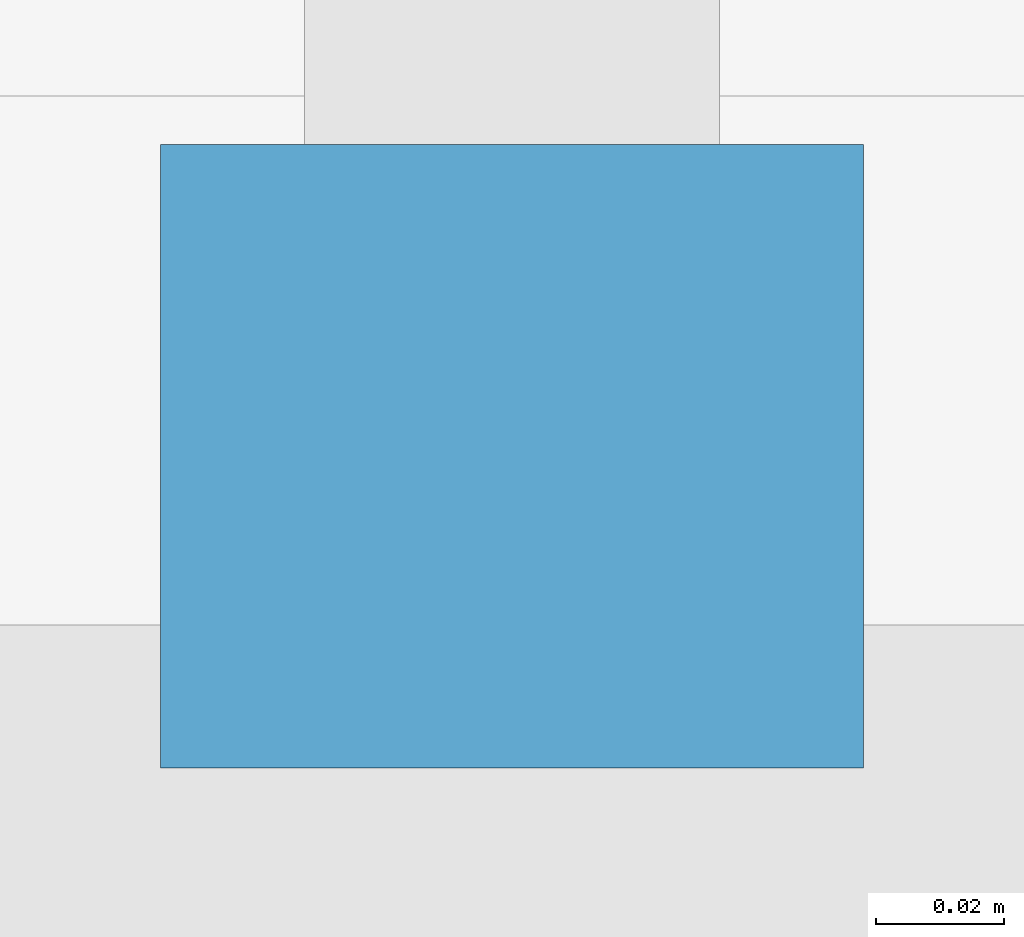
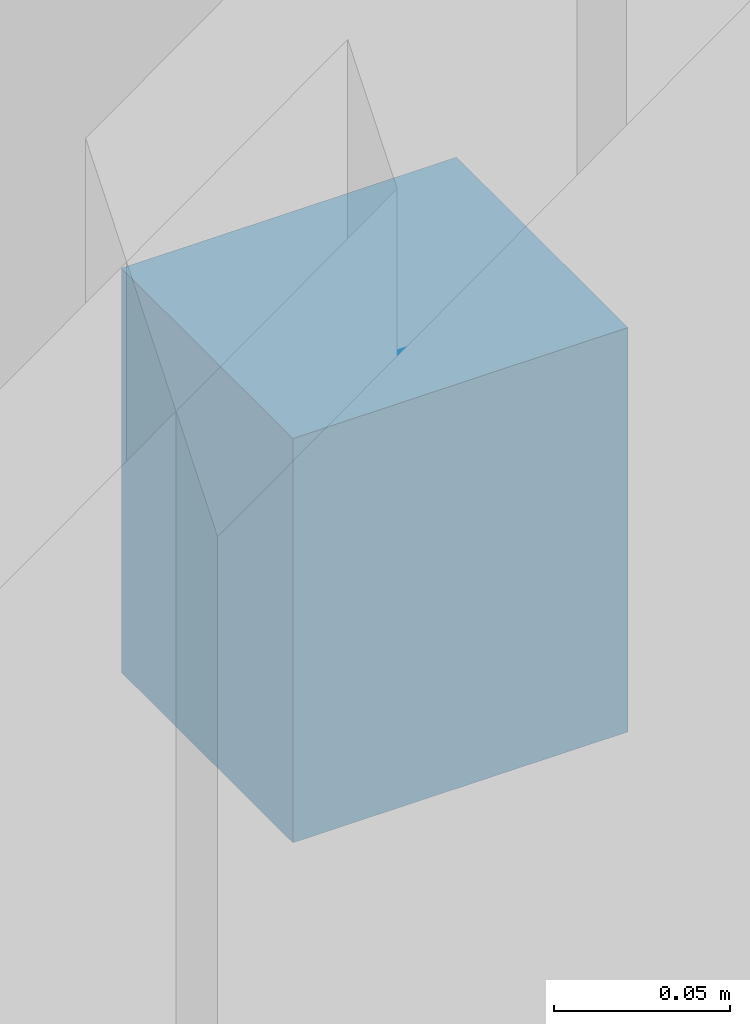
# One storey, part 15 of 19: 1 discrete accessory.
"""IFC4 building model written with IfcOpenShell, lengths in metres."""

from ifc_helpers import new_model, si_unit, direction, frame, origin, place, context, subcontext, project, spatial, polyline, outline, extrude, material, type_object, element, save


model = new_model("IFC4")

# Units and contexts
model_context = context("Model", 3, precision=1e-05, world=origin(), true_north=direction((0.0, 1.0)))
body_context = subcontext(model_context, "Body", "Model", "MODEL_VIEW")
ifc_project = project(units=[si_unit("LENGTHUNIT", "METRE"), si_unit("AREAUNIT", "SQUARE_METRE"), si_unit("VOLUMEUNIT", "CUBIC_METRE"), si_unit("PLANEANGLEUNIT", "RADIAN"), si_unit("MASSUNIT", "GRAM", prefix="KILO")], contexts=[model_context])

# Site, building, storey
site_placement = place(None, origin())
site = spatial("IfcSite", under=ifc_project, at=site_placement, CompositionType="ELEMENT")
building_placement = place(site_placement, origin())
building = spatial("IfcBuilding", under=site, at=building_placement, Name="Qalmaran Belvedere Hotel", CompositionType="ELEMENT")
storey_placement = place(building_placement, frame((0.0, 0.0, 28.39990234375)))
storey = spatial("IfcBuildingStorey", under=building, at=storey_placement, Name="L06", CompositionType="ELEMENT", Elevation=28.39990234375)

# Discrete accessory
ifc_material = material(Name="Stainless Steel 1.4401", Category="steel")
discrete_accessory_type = type_object("IfcDiscreteAccessoryType", Name="BRK-FIN-SS316", PredefinedType="BRACKET", material=ifc_material)
discrete_accessory_placement = place(storey_placement, frame((0.0, 0.0, 2.31005859375)))
element("IfcDiscreteAccessory", 1, at=discrete_accessory_placement, inside=storey, type_object=discrete_accessory_type, Name="L06 Fin Bracket 1", PredefinedType="BRACKET", context=body_context, shape_type="SweptSolid", body=[
    extrude(outline(polyline([(47.324951171875, 48.39501953125), (47.324951171875, 48.492431640625), (47.215087890625, 48.492431640625), (47.215087890625, 48.39501953125), (47.324951171875, 48.39501953125)])), origin(), (0.0, 0.0, 1.0), 0.14013671875),
])

save(model, "model.ifc")
